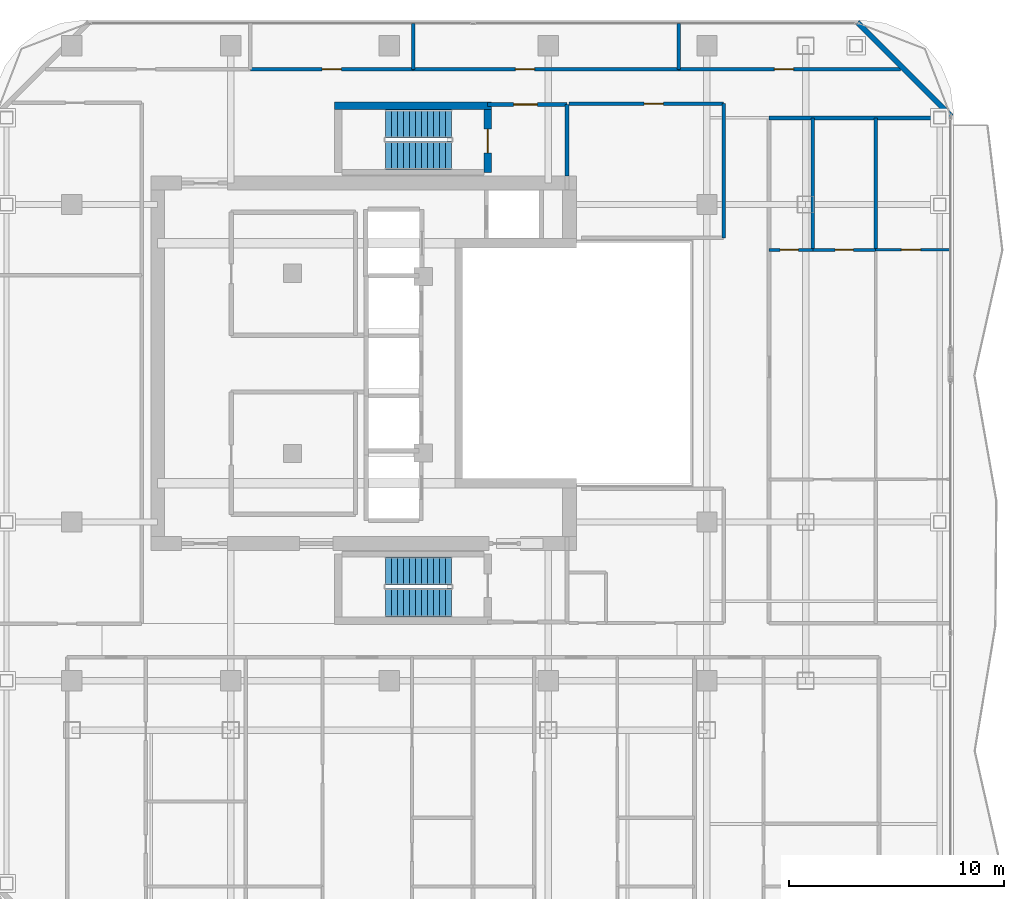
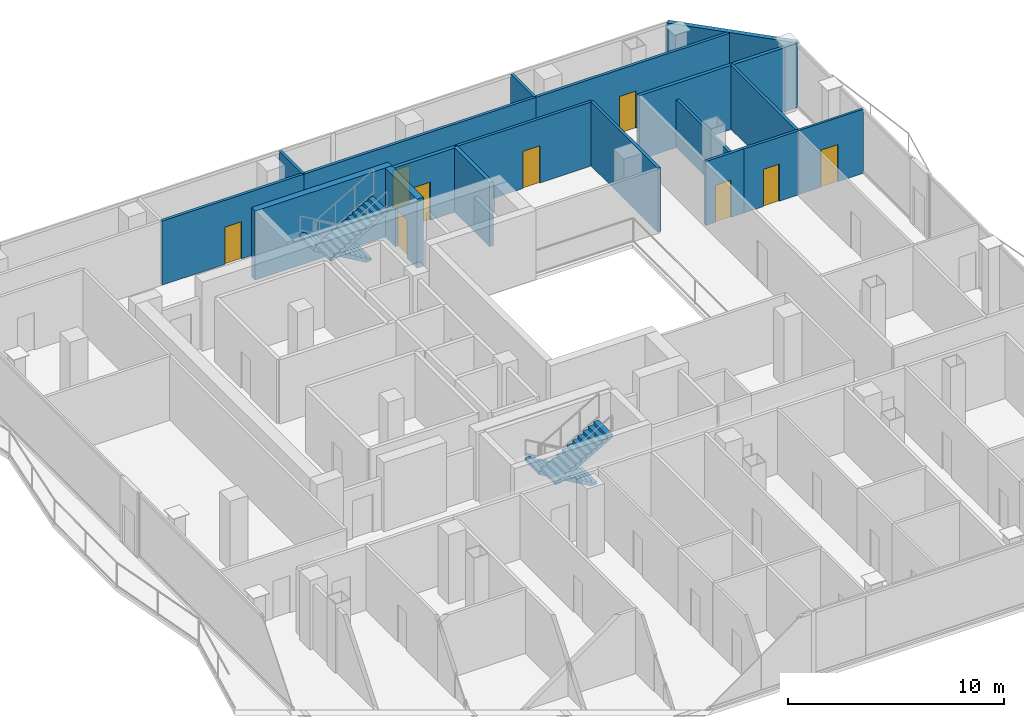
# One storey, part 23 of 26: 18 walls, 9 doors, 4 stair flights, 9 openings, 2 elements without a shape of their own.
"""IFC4 building model written with IfcOpenShell, lengths in metres."""

import ifcopenshell
import ifcopenshell.guid

model = None  # the IFC model being written
_history = None  # IfcOwnerHistory: only IFC2X3 demands one
_inside = {}  # id of a spatial element -> (the spatial element, [elements in it])
_under = {}  # id of a project, library or spatial element -> (it, [spatial elements below it])
_declared = {}  # id of a project -> (the project, [libraries it declares])
_typed = {}  # id of a type object -> (the type object, [elements of that type])
_made_of = {}  # id of a material, layer set ... -> (it, [elements and type objects made of it])


def new_model(schema):
    """Start an empty IFC model of exactly this schema.

    Asked for "IFC4X3", IfcOpenShell would pick the latest addendum, in which some entities
    have other attributes; the version numbers below select the first issue.
    IFC2X3 requires an IfcOwnerHistory on every rooted entity: one is made here for all.
    """
    global model, _history
    if schema == "IFC4X3":
        model = ifcopenshell.file(schema_version=(4, 3, 0, 0))
    else:
        model = ifcopenshell.file(schema=schema)
    _inside.clear()
    _under.clear()
    _declared.clear()
    _typed.clear()
    _made_of.clear()
    _history = None
    if model.schema == "IFC2X3":
        org = make("IfcOrganization", Name="unknown")
        user = make(
            "IfcPersonAndOrganization",
            ThePerson=make("IfcPerson", FamilyName="unknown"),
            TheOrganization=org,
        )
        app = make(
            "IfcApplication",
            ApplicationDeveloper=org,
            Version="unknown",
            ApplicationFullName="unknown",
            ApplicationIdentifier="unknown",
        )
        _history = make(
            "IfcOwnerHistory",
            OwningUser=user,
            OwningApplication=app,
            ChangeAction="ADDED",
            CreationDate=0,
        )
    return model


def make(cls, **values):
    """One entity of the class cls with the attributes given. An attribute that is None is left unset."""
    return model.create_entity(
        cls, **{name: value for name, value in values.items() if value is not None}
    )


def rooted(cls, **values):
    """An entity with a GlobalId (a new one), such as an element, a storey or a relation."""
    return make(cls, GlobalId=ifcopenshell.guid.new(), OwnerHistory=_history, **values)


def si_unit(unit_type, name, prefix=None):
    """IfcSIUnit, for example si_unit("LENGTHUNIT", "METRE", prefix="MILLI")."""
    return make("IfcSIUnit", UnitType=unit_type, Prefix=prefix, Name=name)


def assignment(units):
    """IfcUnitAssignment: the units of a project."""
    return None if units is None else make("IfcUnitAssignment", Units=units)


def point(xyz):
    """IfcCartesianPoint."""
    return None if xyz is None else make("IfcCartesianPoint", Coordinates=xyz)


def direction(xyz):
    """IfcDirection."""
    return None if xyz is None else make("IfcDirection", DirectionRatios=xyz)


def frame(location, z_axis=None, x_axis=None):
    """IfcAxis2Placement3D, a coordinate frame: its origin and axes. An axis left out is left unset."""
    return make(
        "IfcAxis2Placement3D",
        Location=point(location),
        Axis=direction(z_axis),
        RefDirection=direction(x_axis),
    )


def frame_2d(location, x_axis=None):
    """IfcAxis2Placement2D, a coordinate frame in the plane: its origin and x axis."""
    return make(
        "IfcAxis2Placement2D", Location=point(location), RefDirection=direction(x_axis)
    )


def origin():
    """The frame at (0, 0, 0) with its axes left unset."""
    return frame((0.0, 0.0, 0.0))


def place(relative_to, where):
    """IfcLocalPlacement: puts the frame where relative to a parent placement (None: the world)."""
    return make(
        "IfcLocalPlacement", PlacementRelTo=relative_to, RelativePlacement=where
    )


def context(
    kind, dimensions, precision=None, world=None, true_north=None, identifier=None
):
    """IfcGeometricRepresentationContext, for example the 3D "Model" context."""
    return make(
        "IfcGeometricRepresentationContext",
        ContextIdentifier=identifier,
        ContextType=kind,
        CoordinateSpaceDimension=dimensions,
        Precision=precision,
        WorldCoordinateSystem=world,
        TrueNorth=true_north,
    )


def subcontext(parent, identifier, kind, view, scale=None):
    """IfcGeometricRepresentationSubContext, for example "Body" below "Model"."""
    return make(
        "IfcGeometricRepresentationSubContext",
        ContextIdentifier=identifier,
        ContextType=kind,
        ParentContext=parent,
        TargetScale=scale,
        TargetView=view,
    )


def project(units=None, contexts=None):
    """IfcProject with its units and contexts."""
    return rooted(
        "IfcProject",
        Name="project",
        RepresentationContexts=contexts,
        UnitsInContext=assignment(units),
    )


def spatial(cls, under=None, at=None, **own):
    """A site, building, storey or space (cls), placed at a placement, below another one or the project."""
    s = rooted(cls, ObjectPlacement=at, **own)
    if under is not None:
        _under.setdefault(under.id(), (under, []))[1].append(s)
    return s


def polyline(points):
    """IfcPolyline through the points."""
    return make("IfcPolyline", Points=[point(p) for p in points])


def profile(cls, at=None, kind="AREA", **sizes):
    """A parametric profile (cls). Its sizes go by their IFC names, for example OverallWidth=200.0."""
    return make(cls, ProfileType=kind, Position=at, **sizes)


def rectangle(**sizes):
    """IfcRectangleProfileDef."""
    return profile("IfcRectangleProfileDef", **sizes)


def outline(outer, holes=None, kind="AREA"):
    """IfcArbitraryClosedProfileDef: a profile drawn as a closed curve; with holes, ...WithVoids."""
    if holes is None:
        return make("IfcArbitraryClosedProfileDef", ProfileType=kind, OuterCurve=outer)
    return make(
        "IfcArbitraryProfileDefWithVoids",
        ProfileType=kind,
        OuterCurve=outer,
        InnerCurves=holes,
    )


def extrude(swept, where, along, depth):
    """IfcExtrudedAreaSolid: the profile swept, set in the frame where, extruded along a direction by depth."""
    return make(
        "IfcExtrudedAreaSolid",
        SweptArea=swept,
        Position=where,
        ExtrudedDirection=direction(along),
        Depth=depth,
    )


def shape(context_of_items, identifier, shape_type, items):
    """IfcShapeRepresentation: the items that make up one representation, for example the "Body"."""
    return make(
        "IfcShapeRepresentation",
        ContextOfItems=context_of_items,
        RepresentationIdentifier=identifier,
        RepresentationType=shape_type,
        Items=items,
    )


def material(Name=None, Category=None):
    """IfcMaterial."""
    return make("IfcMaterial", Name=Name, Category=Category)


def layer(
    of_material, thickness, ventilated=None, Name=None, Category=None, Priority=None
):
    """IfcMaterialLayer: one layer of a wall or slab, of a material (None: an air gap)."""
    return make(
        "IfcMaterialLayer",
        Material=of_material,
        LayerThickness=thickness,
        IsVentilated=ventilated,
        Name=Name,
        Category=Category,
        Priority=Priority,
    )


def layer_set(layers, Name=None):
    """IfcMaterialLayerSet."""
    return make("IfcMaterialLayerSet", MaterialLayers=layers, LayerSetName=Name)


def made_of(thing, what):
    """Note that an element or type object is made of a material, layer set ...; save() writes the relation."""
    if what is not None:
        _made_of.setdefault(what.id(), (what, []))[1].append(thing)
    return thing


def type_object(cls, material=None, **own):
    """A type object (cls), such as IfcWallType, which elements share."""
    return made_of(rooted(cls, **own), material)


def element(
    cls,
    number,
    at=None,
    inside=None,
    cuts=None,
    type_object=None,
    material=None,
    context=None,
    identifier="Body",
    shape_type=None,
    held_by="IfcProductDefinitionShape",
    body=None,
    shapes=None,
    **own,
):
    """One element of the class cls, such as IfcWall. Its Tag is "e" and its number.

    at: its placement. inside: the storey or other place that contains it. cuts: it is an
    opening in that element (IfcRelVoidsElement). A single representation is given by context,
    identifier, shape_type and body (its items); several are given by shapes. held_by: the class
    of the entity that holds the representations. save() writes the other relations.
    """
    e = rooted(cls, Tag="e%d" % number, ObjectPlacement=at, **own)
    if body is not None:
        shapes = [shape(context, identifier, shape_type, body)]
    if shapes is not None:
        e.Representation = make(held_by, Representations=shapes)
    if inside is not None:
        _inside.setdefault(inside.id(), (inside, []))[1].append(e)
    if cuts is not None:
        rooted(
            "IfcRelVoidsElement", RelatingBuildingElement=cuts, RelatedOpeningElement=e
        )
    if type_object is not None:
        _typed.setdefault(type_object.id(), (type_object, []))[1].append(e)
    return made_of(e, material)


def fill(opening, filler):
    """IfcRelFillsElement: the door or window that sits in an opening."""
    return rooted(
        "IfcRelFillsElement",
        RelatingOpeningElement=opening,
        RelatedBuildingElement=filler,
    )


def aggregate(whole, parts):
    """IfcRelAggregates: a whole, such as a stair, and the parts it consists of."""
    return rooted("IfcRelAggregates", RelatingObject=whole, RelatedObjects=parts)


def save(model, path):
    """Write the relations noted so far, then the file.

    IfcRelAggregates (storeys below a building ...), IfcRelContainedInSpatialStructure (elements
    in a storey), IfcRelDefinesByType, IfcRelAssociatesMaterial and IfcRelDeclares: one each for
    every whole, place, type object, material and project.
    """
    for whole, parts in _under.values():
        aggregate(whole, parts)
    for where, things in _inside.values():
        rooted(
            "IfcRelContainedInSpatialStructure",
            RelatedElements=things,
            RelatingStructure=where,
        )
    for kind, things in _typed.values():
        rooted("IfcRelDefinesByType", RelatedObjects=things, RelatingType=kind)
    for what, things in _made_of.values():
        rooted("IfcRelAssociatesMaterial", RelatedObjects=things, RelatingMaterial=what)
    for by, libraries in _declared.values():
        rooted("IfcRelDeclares", RelatingContext=by, RelatedDefinitions=libraries)
    model.write(path)


model = new_model("IFC4")

# Units and contexts
model_context = context("Model", 3, precision=1e-05, world=origin(), true_north=direction((0.0, 1.0)))
body_context = subcontext(model_context, "Body", "Model", "MODEL_VIEW")
ifc_project = project(units=[si_unit("LENGTHUNIT", "METRE"), si_unit("AREAUNIT", "SQUARE_METRE"), si_unit("VOLUMEUNIT", "CUBIC_METRE"), si_unit("PLANEANGLEUNIT", "RADIAN"), si_unit("MASSUNIT", "GRAM", prefix="KILO")], contexts=[model_context])

# Site, building, storey
site_placement = place(None, origin())
site = spatial("IfcSite", under=ifc_project, at=site_placement, CompositionType="ELEMENT")
building_placement = place(site_placement, origin())
building = spatial("IfcBuilding", under=site, at=building_placement, Name="Khorvyn Point Tower", CompositionType="ELEMENT")
storey_placement = place(building_placement, frame((0.0, 0.0, 250.800048828125)))
storey = spatial("IfcBuildingStorey", under=building, at=storey_placement, Name="L61", CompositionType="ELEMENT", Elevation=250.800048828125)

# Walls
ifc_material_1 = material(Name="Double acoustic gypsum on twin steel stud", Category="steel")
ifc_layer_1 = layer(ifc_material_1, 0.179931640625)
ifc_layer_set_1 = layer_set([ifc_layer_1], Name="Acoustic Double-Stud Apartment Demising Wall 180")
wall_type_1 = type_object("IfcWallType", Name="Acoustic Double-Stud Apartment Demising Wall 180", PredefinedType="PARTITIONING", material=ifc_layer_set_1)
wall_1_placement = place(storey_placement, frame((17.699951171875, 11.429931640625, 0.0), z_axis=(0.0, 0.0, 1.0), x_axis=(1.0, 0.0, 0.0)))
element("IfcWall", 1, at=wall_1_placement, inside=storey, type_object=wall_type_1, Name="Wall", PredefinedType="PARTITIONING", context=body_context, shape_type="SweptSolid", body=[
    extrude(rectangle(XDim=8.429931640625, YDim=0.179931640625, at=frame_2d((4.21484375, 0.0))), origin(), (0.0, 0.0, 1.0), 3.619873046875),
])
ifc_material_2 = material(Name="Pale anodised aluminium rainscreen on steel stud", Category="steel")
ifc_layer_2 = layer(ifc_material_2, 0.239990234375)
ifc_layer_set_2 = layer_set([ifc_layer_2], Name="Anodised Aluminium Insulated Corner Spandrel Wall 240")
wall_type_2 = type_object("IfcWallType", Name="Anodised Aluminium Insulated Corner Spandrel Wall 240", PredefinedType="SOLIDWALL", material=ifc_layer_set_2)
wall_2_placement = place(storey_placement, frame((21.8076171875, 15.892333984375, 0.0), z_axis=(0.0, 0.0, 1.0), x_axis=(0.707106781187, -0.707106781187, 0.0)))
element("IfcWall", 2, at=wall_2_placement, inside=storey, type_object=wall_type_2, Name="L61 Rounded Corner Wall NE", PredefinedType="SOLIDWALL", context=body_context, shape_type="SweptSolid", body=[
    extrude(rectangle(XDim=6.200927734375, YDim=0.239990234375, at=frame_2d((3.1005859375, 0.0))), origin(), (0.0, 0.0, 1.0), 3.619873046875),
])

# Wall, opening, door
ifc_material_3 = material(Name="Concrete C40/50", Category="concrete")
ifc_layer_3 = layer(ifc_material_3, 0.199951171875)
ifc_layer_set_3 = layer_set([ifc_layer_3], Name="Concrete C40/50 Fire-Lobby Compartment Wall 200")
wall_type_3 = type_object("IfcWallType", Name="Concrete C40/50 Fire-Lobby Compartment Wall 200", PredefinedType="SOLIDWALL", material=ifc_layer_set_3)
wall_3_placement = place(storey_placement, frame((4.580078125, 12.06005859375, 0.0), z_axis=(0.0, 0.0, 1.0), x_axis=(1.0, 0.0, 0.0)))
wall_3 = element("IfcWall", 3, at=wall_3_placement, inside=storey, type_object=wall_type_3, Name="Wall", PredefinedType="SOLIDWALL", context=body_context, shape_type="SweptSolid", body=[
    extrude(rectangle(XDim=3.699951171875, YDim=0.199951171875, at=frame_2d((1.85009765625, 0.0))), origin(), (0.0, 0.0, 1.0), 3.619873046875),
])
opening_1_placement = place(wall_3_placement, frame((1.21240234375, 0.0, 0.0)))
opening_1 = element("IfcOpeningElement", 4, at=opening_1_placement, cuts=wall_3, Name="Opening ID-FL90", PredefinedType="OPENING", context=body_context, shape_type="SweptSolid", body=[
    extrude(rectangle(XDim=1.10009765625, YDim=2.14990234375, at=frame_2d((0.550048828125, 1.074951171875))), frame((0.0, 0.10986328125, 0.0), z_axis=(0.0, -1.0, 0.0), x_axis=(1.0, 0.0, 0.0)), (0.0, 0.0, 1.0), 0.219970703125),
])
ifc_material_4 = material(Name="Galvanised powder-coated steel", Category="steel")
door_type_1 = type_object("IfcDoorType", Name="Fire-Rated Steel Lobby and Stair Door 1100x2150", OperationType="NOTDEFINED", PredefinedType="DOOR", material=ifc_material_4)
door_1_placement = place(opening_1_placement, origin())
door_1 = element("IfcDoor", 5, at=door_1_placement, inside=storey, type_object=door_type_1, Name="Door", OperationType="SINGLE_SWING_RIGHT", OverallHeight=2.14990234375, OverallWidth=1.10009765625, PredefinedType="DOOR", context=body_context, shape_type="SweptSolid", body=[
    extrude(rectangle(XDim=1.10009765625, YDim=2.14990234375, at=frame_2d((0.550048828125, 1.074951171875))), frame((0.0, 0.02490234375, 0.0), z_axis=(0.0, -1.0, 0.0), x_axis=(1.0, 0.0, 0.0)), (0.0, 0.0, 1.0), 0.050048828125),
])
fill(opening_1, door_1)

# Walls
wall_4_placement = place(storey_placement, frame((8.280029296875, 8.72509765625, 0.0), z_axis=(0.0, 0.0, 1.0), x_axis=(0.0, 1.0, 0.0)))
element("IfcWall", 6, at=wall_4_placement, inside=storey, type_object=wall_type_3, Name="Wall", PredefinedType="SOLIDWALL", context=body_context, shape_type="SweptSolid", body=[
    extrude(rectangle(XDim=3.3349609375, YDim=0.199951171875, at=frame_2d((1.66748046875, 0.0))), origin(), (0.0, 0.0, 1.0), 3.619873046875),
])
ifc_layer_4 = layer(ifc_material_3, 0.35009765625)
ifc_layer_set_4 = layer_set([ifc_layer_4], Name="Concrete C40/50 Stair Shaft Structural Wall 350")
wall_type_4 = type_object("IfcWallType", Name="Concrete C40/50 Stair Shaft Structural Wall 350", PredefinedType="SHEAR", material=ifc_layer_set_4)
wall_5_placement = place(storey_placement, frame((-2.554931640625, 12.0, 0.0), z_axis=(0.0, 0.0, 1.0), x_axis=(1.0, 0.0, 0.0)))
element("IfcWall", 7, at=wall_5_placement, inside=storey, type_object=wall_type_4, Name="L61 ST-02 North Shaft Wall", PredefinedType="SHEAR", context=body_context, shape_type="SweptSolid", body=[
    extrude(rectangle(XDim=7.309814453125, YDim=0.35009765625, at=frame_2d((3.65478515625, 0.0))), origin(), (0.0, 0.0, 1.0), 3.89990234375),
])

# Wall, opening, door
wall_6_placement = place(storey_placement, frame((4.580078125, 11.824951171875, 0.0), z_axis=(0.0, 0.0, 1.0), x_axis=(0.0, -1.0, 0.0)))
wall_6 = element("IfcWall", 8, at=wall_6_placement, inside=storey, type_object=wall_type_4, Name="L61 ST-02 East Landing Door Wall", PredefinedType="SHEAR", context=body_context, shape_type="SweptSolid", body=[
    extrude(rectangle(XDim=2.925048828125, YDim=0.35009765625, at=frame_2d((1.46240234375, 0.0))), origin(), (0.0, 0.0, 1.0), 3.89990234375),
])
opening_2_placement = place(wall_6_placement, frame((0.91259765625, 0.0, 0.0)))
opening_2 = element("IfcOpeningElement", 9, at=opening_2_placement, cuts=wall_6, Name="Opening ID-FL90", PredefinedType="OPENING", context=body_context, shape_type="SweptSolid", body=[
    extrude(rectangle(XDim=1.10009765625, YDim=2.14990234375, at=frame_2d((0.550048828125, 1.074951171875))), frame((0.0, 0.18505859375, 0.0), z_axis=(0.0, -1.0, 0.0), x_axis=(1.0, 0.0, 0.0)), (0.0, 0.0, 1.0), 0.3701171875),
])
door_2_placement = place(opening_2_placement, origin())
door_2 = element("IfcDoor", 10, at=door_2_placement, inside=storey, type_object=door_type_1, Name="L61 ST-02 Smokeproof Landing Door", OperationType="SINGLE_SWING_RIGHT", OverallHeight=2.14990234375, OverallWidth=1.10009765625, PredefinedType="DOOR", context=body_context, shape_type="SweptSolid", body=[
    extrude(rectangle(XDim=1.10009765625, YDim=2.14990234375, at=frame_2d((0.550048828125, 1.074951171875))), frame((0.0, 0.02490234375, 0.0), z_axis=(0.0, -1.0, 0.0), x_axis=(1.0, 0.0, 0.0)), (0.0, 0.0, 1.0), 0.050048828125),
])
fill(opening_2, door_2)

ifc_material_5 = material(Name="Gypsum plasterboard on steel stud", Category="steel")
ifc_layer_5 = layer(ifc_material_5, 0.1201171875)
ifc_layer_set_5 = layer_set([ifc_layer_5], Name="Gypsum Acoustic Stud Room Partition Wall 120")
wall_type_5 = type_object("IfcWallType", Name="Gypsum Acoustic Stud Room Partition Wall 120", PredefinedType="PARTITIONING", material=ifc_layer_set_5)
wall_7_placement = place(storey_placement, frame((22.6630859375, 5.281982421875, 0.0), z_axis=(0.0, 0.0, 1.0), x_axis=(1.0, 0.0, 0.0)))
wall_7 = element("IfcWall", 11, at=wall_7_placement, inside=storey, type_object=wall_type_5, Name="Wall", PredefinedType="PARTITIONING", context=body_context, shape_type="SweptSolid", body=[
    extrude(rectangle(XDim=3.466796875, YDim=0.1201171875, at=frame_2d((1.7333984375, 0.0))), origin(), (0.0, 0.0, 1.0), 3.619873046875),
])
opening_3_placement = place(wall_7_placement, frame((1.197021484375, 0.0, 0.0)))
opening_3 = element("IfcOpeningElement", 12, at=opening_3_placement, cuts=wall_7, Name="Opening ID-RM90", PredefinedType="OPENING", context=body_context, shape_type="SweptSolid", body=[
    extrude(rectangle(XDim=0.89990234375, YDim=2.10009765625, at=frame_2d((0.449951171875, 1.050048828125))), frame((0.0, 0.070068359375, 0.0), z_axis=(0.0, -1.0, 0.0), x_axis=(1.0, 0.0, 0.0)), (0.0, 0.0, 1.0), 0.14013671875),
])
ifc_material_6 = material(Name="Engineered oak veneer timber", Category="wood")
door_type_2 = type_object("IfcDoorType", Name="Flush Engineered Timber Room Door 900x2100", OperationType="NOTDEFINED", PredefinedType="DOOR", material=ifc_material_6)
door_3_placement = place(opening_3_placement, origin())
door_3 = element("IfcDoor", 13, at=door_3_placement, inside=storey, type_object=door_type_2, Name="Door", OperationType="SINGLE_SWING_RIGHT", OverallHeight=2.10009765625, OverallWidth=0.89990234375, PredefinedType="DOOR", context=body_context, shape_type="SweptSolid", body=[
    extrude(rectangle(XDim=0.89990234375, YDim=2.10009765625, at=frame_2d((0.449951171875, 1.050048828125))), frame((0.0, 0.02490234375, 0.0), z_axis=(0.0, -1.0, 0.0), x_axis=(1.0, 0.0, 0.0)), (0.0, 0.0, 1.0), 0.050048828125),
])
fill(opening_3, door_3)

ifc_material_7 = material(Name="Moisture-resistant gypsum and cement board", Category="gypsum")
ifc_layer_6 = layer(ifc_material_7, 0.14990234375)
ifc_layer_set_6 = layer_set([ifc_layer_6], Name="Moisture-Resistant Wet-Room Partition Wall 150")
wall_type_6 = type_object("IfcWallType", Name="Moisture-Resistant Wet-Room Partition Wall 150", PredefinedType="PARTITIONING", material=ifc_layer_set_6)
wall_8_placement = place(storey_placement, frame((8.360107421875, 12.10009765625, 0.0), z_axis=(0.0, 0.0, 1.0), x_axis=(1.0, 0.0, 0.0)))
wall_8 = element("IfcWall", 14, at=wall_8_placement, inside=storey, type_object=wall_type_6, Name="Wall", PredefinedType="PARTITIONING", context=body_context, shape_type="SweptSolid", body=[
    extrude(rectangle(XDim=7.219970703125, YDim=0.14990234375, at=frame_2d((3.60986328125, 0.0))), origin(), (0.0, 0.0, 1.0), 3.619873046875),
])
opening_4_placement = place(wall_8_placement, frame((3.512939453125, 0.0, 0.0)))
opening_4 = element("IfcOpeningElement", 15, at=opening_4_placement, cuts=wall_8, Name="Opening ID-RM90", PredefinedType="OPENING", context=body_context, shape_type="SweptSolid", body=[
    extrude(rectangle(XDim=0.89990234375, YDim=2.10009765625, at=frame_2d((0.449951171875, 1.050048828125))), frame((0.0, 0.0849609375, 0.0), z_axis=(0.0, -1.0, 0.0), x_axis=(1.0, 0.0, 0.0)), (0.0, 0.0, 1.0), 0.169921875),
])
door_4_placement = place(opening_4_placement, origin())
door_4 = element("IfcDoor", 16, at=door_4_placement, inside=storey, type_object=door_type_2, Name="Door", OperationType="SINGLE_SWING_LEFT", OverallHeight=2.10009765625, OverallWidth=0.89990234375, PredefinedType="DOOR", context=body_context, shape_type="SweptSolid", body=[
    extrude(rectangle(XDim=0.89990234375, YDim=2.10009765625, at=frame_2d((0.449951171875, 1.050048828125))), frame((0.0, 0.02490234375, 0.0), z_axis=(0.0, -1.0, 0.0), x_axis=(1.0, 0.0, 0.0)), (0.0, 0.0, 1.0), 0.050048828125),
])
fill(opening_4, door_4)

wall_9_placement = place(storey_placement, frame((-6.48388671875, 13.699951171875, 0.0), z_axis=(0.0, 0.0, 1.0), x_axis=(1.0, 0.0, 0.0)))
wall_9 = element("IfcWall", 17, at=wall_9_placement, inside=storey, type_object=wall_type_6, Name="Wall", PredefinedType="PARTITIONING", context=body_context, shape_type="SweptSolid", body=[
    extrude(rectangle(XDim=7.5888671875, YDim=0.14990234375, at=frame_2d((3.79443359375, 0.0))), origin(), (0.0, 0.0, 1.0), 3.619873046875),
])
opening_5_placement = place(wall_9_placement, frame((3.344482421875, 0.0, 0.0)))
opening_5 = element("IfcOpeningElement", 18, at=opening_5_placement, cuts=wall_9, Name="Opening ID-RM90", PredefinedType="OPENING", context=body_context, shape_type="SweptSolid", body=[
    extrude(rectangle(XDim=0.89990234375, YDim=2.10009765625, at=frame_2d((0.449951171875, 1.050048828125))), frame((0.0, 0.0849609375, 0.0), z_axis=(0.0, -1.0, 0.0), x_axis=(1.0, 0.0, 0.0)), (0.0, 0.0, 1.0), 0.169921875),
])
door_5_placement = place(opening_5_placement, origin())
door_5 = element("IfcDoor", 19, at=door_5_placement, inside=storey, type_object=door_type_2, Name="Door", OperationType="SINGLE_SWING_LEFT", OverallHeight=2.10009765625, OverallWidth=0.89990234375, PredefinedType="DOOR", context=body_context, shape_type="SweptSolid", body=[
    extrude(rectangle(XDim=0.89990234375, YDim=2.10009765625, at=frame_2d((0.449951171875, 1.050048828125))), frame((0.0, 0.02490234375, 0.0), z_axis=(0.0, -1.0, 0.0), x_axis=(1.0, 0.0, 0.0)), (0.0, 0.0, 1.0), 0.050048828125),
])
fill(opening_5, door_5)

wall_10_placement = place(storey_placement, frame((1.10498046875, 13.699951171875, 0.0), z_axis=(0.0, 0.0, 1.0), x_axis=(1.0, 0.0, 0.0)))
wall_10 = element("IfcWall", 20, at=wall_10_placement, inside=storey, type_object=wall_type_6, Name="Wall", PredefinedType="PARTITIONING", context=body_context, shape_type="SweptSolid", body=[
    extrude(rectangle(XDim=12.381103515625, YDim=0.14990234375, at=frame_2d((6.1904296875, 0.0))), origin(), (0.0, 0.0, 1.0), 3.619873046875),
])
opening_6_placement = place(wall_10_placement, frame((4.76611328125, 0.0, 0.0)))
opening_6 = element("IfcOpeningElement", 21, at=opening_6_placement, cuts=wall_10, Name="Opening ID-RM90", PredefinedType="OPENING", context=body_context, shape_type="SweptSolid", body=[
    extrude(rectangle(XDim=0.89990234375, YDim=2.10009765625, at=frame_2d((0.449951171875, 1.050048828125))), frame((0.0, 0.0849609375, 0.0), z_axis=(0.0, -1.0, 0.0), x_axis=(1.0, 0.0, 0.0)), (0.0, 0.0, 1.0), 0.169921875),
])
door_6_placement = place(opening_6_placement, origin())
door_6 = element("IfcDoor", 22, at=door_6_placement, inside=storey, type_object=door_type_2, Name="Door", OperationType="SINGLE_SWING_RIGHT", OverallHeight=2.10009765625, OverallWidth=0.89990234375, PredefinedType="DOOR", context=body_context, shape_type="SweptSolid", body=[
    extrude(rectangle(XDim=0.89990234375, YDim=2.10009765625, at=frame_2d((0.449951171875, 1.050048828125))), frame((0.0, 0.02490234375, 0.0), z_axis=(0.0, -1.0, 0.0), x_axis=(1.0, 0.0, 0.0)), (0.0, 0.0, 1.0), 0.050048828125),
])
fill(opening_6, door_6)

wall_11_placement = place(storey_placement, frame((13.486083984375, 13.699951171875, 0.0), z_axis=(0.0, 0.0, 1.0), x_axis=(1.0, 0.0, 0.0)))
wall_11 = element("IfcWall", 23, at=wall_11_placement, inside=storey, type_object=wall_type_6, Name="Wall", PredefinedType="PARTITIONING", context=body_context, shape_type="SweptSolid", body=[
    extrude(rectangle(XDim=10.343994140625, YDim=0.14990234375, at=frame_2d((5.171875, 0.0))), origin(), (0.0, 0.0, 1.0), 3.619873046875),
])
opening_7_placement = place(wall_11_placement, frame((4.45361328125, 0.0, 0.0)))
opening_7 = element("IfcOpeningElement", 24, at=opening_7_placement, cuts=wall_11, Name="Opening ID-RM90", PredefinedType="OPENING", context=body_context, shape_type="SweptSolid", body=[
    extrude(rectangle(XDim=0.89990234375, YDim=2.10009765625, at=frame_2d((0.449951171875, 1.050048828125))), frame((0.0, 0.0849609375, 0.0), z_axis=(0.0, -1.0, 0.0), x_axis=(1.0, 0.0, 0.0)), (0.0, 0.0, 1.0), 0.169921875),
])
door_7_placement = place(opening_7_placement, origin())
door_7 = element("IfcDoor", 25, at=door_7_placement, inside=storey, type_object=door_type_2, Name="Door", OperationType="SINGLE_SWING_LEFT", OverallHeight=2.10009765625, OverallWidth=0.89990234375, PredefinedType="DOOR", context=body_context, shape_type="SweptSolid", body=[
    extrude(rectangle(XDim=0.89990234375, YDim=2.10009765625, at=frame_2d((0.449951171875, 1.050048828125))), frame((0.0, 0.02490234375, 0.0), z_axis=(0.0, -1.0, 0.0), x_axis=(1.0, 0.0, 0.0)), (0.0, 0.0, 1.0), 0.050048828125),
])
fill(opening_7, door_7)

wall_12_placement = place(storey_placement, frame((17.699951171875, 5.281982421875, 0.0), z_axis=(0.0, 0.0, 1.0), x_axis=(1.0, 0.0, 0.0)))
wall_12 = element("IfcWall", 26, at=wall_12_placement, inside=storey, type_object=wall_type_6, Name="Wall", PredefinedType="PARTITIONING", context=body_context, shape_type="SweptSolid", body=[
    extrude(rectangle(XDim=2.03515625, YDim=0.14990234375, at=frame_2d((1.017578125, 0.0))), origin(), (0.0, 0.0, 1.0), 3.619873046875),
])
opening_8_placement = place(wall_12_placement, frame((0.506103515625, 0.0, 0.0)))
opening_8 = element("IfcOpeningElement", 27, at=opening_8_placement, cuts=wall_12, Name="Opening ID-WC85", PredefinedType="OPENING", context=body_context, shape_type="SweptSolid", body=[
    extrude(rectangle(XDim=0.85009765625, YDim=2.10009765625, at=frame_2d((0.425048828125, 1.050048828125))), frame((0.0, 0.0849609375, 0.0), z_axis=(0.0, -1.0, 0.0), x_axis=(1.0, 0.0, 0.0)), (0.0, 0.0, 1.0), 0.169921875),
])
ifc_material_8 = material(Name="High-pressure laminate on moisture-resistant core", Category="wood")
door_type_3 = type_object("IfcDoorType", Name="Moisture-Resistant Accessible Washroom Door 850x2100", OperationType="NOTDEFINED", PredefinedType="DOOR", material=ifc_material_8)
door_8_placement = place(opening_8_placement, origin())
door_8 = element("IfcDoor", 28, at=door_8_placement, inside=storey, type_object=door_type_3, Name="Door", OperationType="SINGLE_SWING_RIGHT", OverallHeight=2.10009765625, OverallWidth=0.85009765625, PredefinedType="DOOR", context=body_context, shape_type="SweptSolid", body=[
    extrude(rectangle(XDim=0.85009765625, YDim=2.10009765625, at=frame_2d((0.425048828125, 1.050048828125))), frame((0.0, 0.02490234375, 0.0), z_axis=(0.0, -1.0, 0.0), x_axis=(1.0, 0.0, 0.0)), (0.0, 0.0, 1.0), 0.050048828125),
])
fill(opening_8, door_8)

wall_13_placement = place(storey_placement, frame((19.735107421875, 5.281982421875, 0.0), z_axis=(0.0, 0.0, 1.0), x_axis=(1.0, 0.0, 0.0)))
wall_13 = element("IfcWall", 29, at=wall_13_placement, inside=storey, type_object=wall_type_6, Name="Wall", PredefinedType="PARTITIONING", context=body_context, shape_type="SweptSolid", body=[
    extrude(rectangle(XDim=2.927978515625, YDim=0.14990234375, at=frame_2d((1.4638671875, 0.0))), origin(), (0.0, 0.0, 1.0), 3.619873046875),
])
opening_9_placement = place(wall_13_placement, frame((1.0390625, 0.0, 0.0)))
opening_9 = element("IfcOpeningElement", 30, at=opening_9_placement, cuts=wall_13, Name="Opening ID-WC85", PredefinedType="OPENING", context=body_context, shape_type="SweptSolid", body=[
    extrude(rectangle(XDim=0.85009765625, YDim=2.10009765625, at=frame_2d((0.425048828125, 1.050048828125))), frame((0.0, 0.0849609375, 0.0), z_axis=(0.0, -1.0, 0.0), x_axis=(1.0, 0.0, 0.0)), (0.0, 0.0, 1.0), 0.169921875),
])
door_9_placement = place(opening_9_placement, origin())
door_9 = element("IfcDoor", 31, at=door_9_placement, inside=storey, type_object=door_type_3, Name="Door", OperationType="SINGLE_SWING_LEFT", OverallHeight=2.10009765625, OverallWidth=0.85009765625, PredefinedType="DOOR", context=body_context, shape_type="SweptSolid", body=[
    extrude(rectangle(XDim=0.85009765625, YDim=2.10009765625, at=frame_2d((0.425048828125, 1.050048828125))), frame((0.0, 0.02490234375, 0.0), z_axis=(0.0, -1.0, 0.0), x_axis=(1.0, 0.0, 0.0)), (0.0, 0.0, 1.0), 0.050048828125),
])
fill(opening_9, door_9)

# Walls
wall_14_placement = place(storey_placement, frame((15.580078125, 5.85009765625, 0.0), z_axis=(0.0, 0.0, 1.0), x_axis=(0.0, 1.0, 0.0)))
element("IfcWall", 32, at=wall_14_placement, inside=storey, type_object=wall_type_6, Name="Wall", PredefinedType="PARTITIONING", context=body_context, shape_type="SweptSolid", body=[
    extrude(rectangle(XDim=6.25, YDim=0.14990234375, at=frame_2d((3.125, 0.0))), origin(), (0.0, 0.0, 1.0), 3.619873046875),
])
for number, where, z_axis, x_axis, name in (
    (33, (1.10498046875, 13.699951171875, 0.0), (0.0, 0.0, 1.0), (0.0, 1.0, 0.0), "Wall"),
    (34, (13.486083984375, 13.699951171875, 0.0), (0.0, 0.0, 1.0), (0.0, 1.0, 0.0), "Wall"),
):
    element("IfcWall", number, at=place(storey_placement, frame(where, z_axis=z_axis, x_axis=x_axis)), inside=storey, type_object=wall_type_6, Name=name, PredefinedType="PARTITIONING", context=body_context, shape_type="SweptSolid", body=[
        extrude(rectangle(XDim=2.130126953125, YDim=0.14990234375, at=frame_2d((1.06494140625, 0.0))), origin(), (0.0, 0.0, 1.0), 3.619873046875),
    ])
wall_15_placement = place(storey_placement, frame((19.735107421875, 5.281982421875, 0.0), z_axis=(0.0, 0.0, 1.0), x_axis=(0.0, 1.0, 0.0)))
element("IfcWall", 35, at=wall_15_placement, inside=storey, type_object=wall_type_6, Name="Wall", PredefinedType="PARTITIONING", context=body_context, shape_type="SweptSolid", body=[
    extrude(rectangle(XDim=6.14794921875, YDim=0.14990234375, at=frame_2d((3.073974609375, 0.0))), origin(), (0.0, 0.0, 1.0), 2.7099609375),
])
wall_16_placement = place(storey_placement, frame((22.6630859375, 5.281982421875, 0.0), z_axis=(0.0, 0.0, 1.0), x_axis=(0.0, 1.0, 0.0)))
element("IfcWall", 36, at=wall_16_placement, inside=storey, type_object=wall_type_6, Name="Wall", PredefinedType="PARTITIONING", context=body_context, shape_type="SweptSolid", body=[
    extrude(rectangle(XDim=6.14794921875, YDim=0.14990234375, at=frame_2d((3.073974609375, 0.0))), origin(), (0.0, 0.0, 1.0), 3.619873046875),
])

# Stair, stair flights
stair_type = type_object("IfcStairType", Name="Tower Concrete C40/50 Dogleg Exit Stair", PredefinedType="HALF_TURN_STAIR", material=ifc_material_3)
stair_1_placement = place(storey_placement, origin())
stair_1 = element("IfcStair", 37, at=stair_1_placement, inside=storey, type_object=stair_type, Name="L61 Tower Smokeproof Exit Stair South", PredefinedType="HALF_TURN_STAIR")
stair_flight_type = type_object("IfcStairFlightType", Name="Tower Concrete C40/50 Stair Flight", PredefinedType="STRAIGHT", material=ifc_material_3)
stair_flight_1_placement = place(storey_placement, frame((2.89990234375, -9.679931640625, 0.0), z_axis=(0.0, 0.0, 1.0), x_axis=(-1.0, 0.0, 0.0)))
stair_flight_1 = element("IfcStairFlight", 38, at=stair_flight_1_placement, type_object=stair_flight_type, Name="ST-01 flight 1", NumberOfRisers=12, NumberOfTreads=11, PredefinedType="STRAIGHT", RiserHeight=0.1625, TreadLength=0.28, context=body_context, shape_type="SweptSolid", body=[
    extrude(outline(polyline([(0.0, 0.0), (0.0, 0.16259765625), (0.280029296875, 0.16259765625), (0.280029296875, 0.324951171875), (0.56005859375, 0.324951171875), (0.56005859375, 0.487548828125), (0.840087890625, 0.487548828125), (0.840087890625, 0.64990234375), (1.1201171875, 0.64990234375), (1.1201171875, 0.8125), (1.39990234375, 0.8125), (1.39990234375, 0.97509765625), (1.679931640625, 0.97509765625), (1.679931640625, 1.137451171875), (1.9599609375, 1.137451171875), (1.9599609375, 1.300048828125), (2.239990234375, 1.300048828125), (2.239990234375, 1.46240234375), (2.52001953125, 1.46240234375), (2.52001953125, 1.625), (2.800048828125, 1.625), (2.800048828125, 1.78759765625), (3.080078125, 1.78759765625), (3.080078125, 1.949951171875), (3.080078125, 1.6142578125), (0.298583984375, 0.0), (0.0, 0.0)])), frame((0.0, 0.66015625, 0.0), z_axis=(0.0, -1.0, 0.0), x_axis=(1.0, 0.0, 0.0)), (0.0, 0.0, 1.0), 1.320068359375),
])
stair_flight_2_placement = place(storey_placement, frame((-0.179931640625, -11.159912109375, 1.949951171875), z_axis=(0.0, 0.0, 1.0), x_axis=(1.0, 0.0, 0.0)))
stair_flight_2 = element("IfcStairFlight", 39, at=stair_flight_2_placement, type_object=stair_flight_type, Name="ST-01 flight 2", NumberOfRisers=12, NumberOfTreads=11, PredefinedType="STRAIGHT", RiserHeight=0.1625, TreadLength=0.28, context=body_context, shape_type="SweptSolid", body=[
    extrude(outline(polyline([(0.0, 0.0), (0.0, 0.16259765625), (0.280029296875, 0.16259765625), (0.280029296875, 0.324951171875), (0.56005859375, 0.324951171875), (0.56005859375, 0.487548828125), (0.840087890625, 0.487548828125), (0.840087890625, 0.64990234375), (1.1201171875, 0.64990234375), (1.1201171875, 0.8125), (1.39990234375, 0.8125), (1.39990234375, 0.97509765625), (1.679931640625, 0.97509765625), (1.679931640625, 1.137451171875), (1.9599609375, 1.137451171875), (1.9599609375, 1.300048828125), (2.239990234375, 1.300048828125), (2.239990234375, 1.46240234375), (2.52001953125, 1.46240234375), (2.52001953125, 1.625), (2.800048828125, 1.625), (2.800048828125, 1.78759765625), (3.080078125, 1.78759765625), (3.080078125, 1.949951171875), (3.080078125, 1.6142578125), (0.298583984375, 0.0), (0.0, 0.0)])), frame((0.0, 0.66015625, 0.0), z_axis=(0.0, -1.0, 0.0), x_axis=(1.0, 0.0, 0.0)), (0.0, 0.0, 1.0), 1.320068359375),
])
aggregate(stair_1, [stair_flight_1, stair_flight_2])

stair_2_placement = place(storey_placement, origin())
stair_2 = element("IfcStair", 40, at=stair_2_placement, inside=storey, type_object=stair_type, Name="L61 Tower Smokeproof Exit Stair North", PredefinedType="HALF_TURN_STAIR")
stair_flight_3_placement = place(storey_placement, frame((2.89990234375, 11.159912109375, 0.0), z_axis=(0.0, 0.0, 1.0), x_axis=(-1.0, 0.0, 0.0)))
stair_flight_3 = element("IfcStairFlight", 41, at=stair_flight_3_placement, type_object=stair_flight_type, Name="ST-02 flight 1", NumberOfRisers=12, NumberOfTreads=11, PredefinedType="STRAIGHT", RiserHeight=0.1625, TreadLength=0.28, context=body_context, shape_type="SweptSolid", body=[
    extrude(outline(polyline([(0.0, 0.0), (0.0, 0.16259765625), (0.280029296875, 0.16259765625), (0.280029296875, 0.324951171875), (0.56005859375, 0.324951171875), (0.56005859375, 0.487548828125), (0.840087890625, 0.487548828125), (0.840087890625, 0.64990234375), (1.1201171875, 0.64990234375), (1.1201171875, 0.8125), (1.39990234375, 0.8125), (1.39990234375, 0.97509765625), (1.679931640625, 0.97509765625), (1.679931640625, 1.137451171875), (1.9599609375, 1.137451171875), (1.9599609375, 1.300048828125), (2.239990234375, 1.300048828125), (2.239990234375, 1.46240234375), (2.52001953125, 1.46240234375), (2.52001953125, 1.625), (2.800048828125, 1.625), (2.800048828125, 1.78759765625), (3.080078125, 1.78759765625), (3.080078125, 1.949951171875), (3.080078125, 1.6142578125), (0.298583984375, 0.0), (0.0, 0.0)])), frame((0.0, 0.66015625, 0.0), z_axis=(0.0, -1.0, 0.0), x_axis=(1.0, 0.0, 0.0)), (0.0, 0.0, 1.0), 1.320068359375),
])
stair_flight_4_placement = place(storey_placement, frame((-0.179931640625, 9.679931640625, 1.949951171875), z_axis=(0.0, 0.0, 1.0), x_axis=(1.0, 0.0, 0.0)))
stair_flight_4 = element("IfcStairFlight", 42, at=stair_flight_4_placement, type_object=stair_flight_type, Name="ST-02 flight 2", NumberOfRisers=12, NumberOfTreads=11, PredefinedType="STRAIGHT", RiserHeight=0.1625, TreadLength=0.28, context=body_context, shape_type="SweptSolid", body=[
    extrude(outline(polyline([(0.0, 0.0), (0.0, 0.16259765625), (0.280029296875, 0.16259765625), (0.280029296875, 0.324951171875), (0.56005859375, 0.324951171875), (0.56005859375, 0.487548828125), (0.840087890625, 0.487548828125), (0.840087890625, 0.64990234375), (1.1201171875, 0.64990234375), (1.1201171875, 0.8125), (1.39990234375, 0.8125), (1.39990234375, 0.97509765625), (1.679931640625, 0.97509765625), (1.679931640625, 1.137451171875), (1.9599609375, 1.137451171875), (1.9599609375, 1.300048828125), (2.239990234375, 1.300048828125), (2.239990234375, 1.46240234375), (2.52001953125, 1.46240234375), (2.52001953125, 1.625), (2.800048828125, 1.625), (2.800048828125, 1.78759765625), (3.080078125, 1.78759765625), (3.080078125, 1.949951171875), (3.080078125, 1.6142578125), (0.298583984375, 0.0), (0.0, 0.0)])), frame((0.0, 0.66015625, 0.0), z_axis=(0.0, -1.0, 0.0), x_axis=(1.0, 0.0, 0.0)), (0.0, 0.0, 1.0), 1.320068359375),
])
aggregate(stair_2, [stair_flight_3, stair_flight_4])

save(model, "model.ifc")
